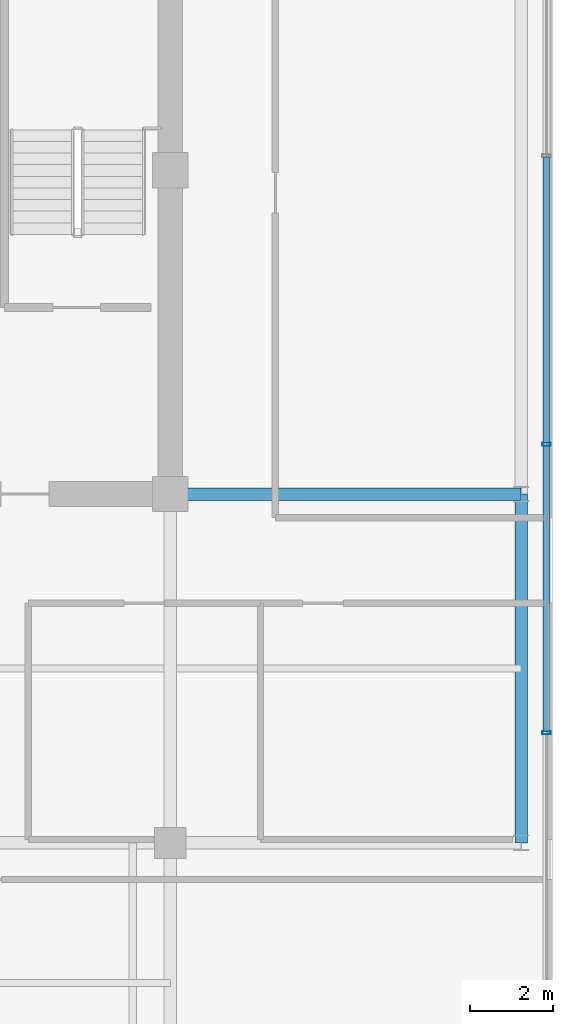
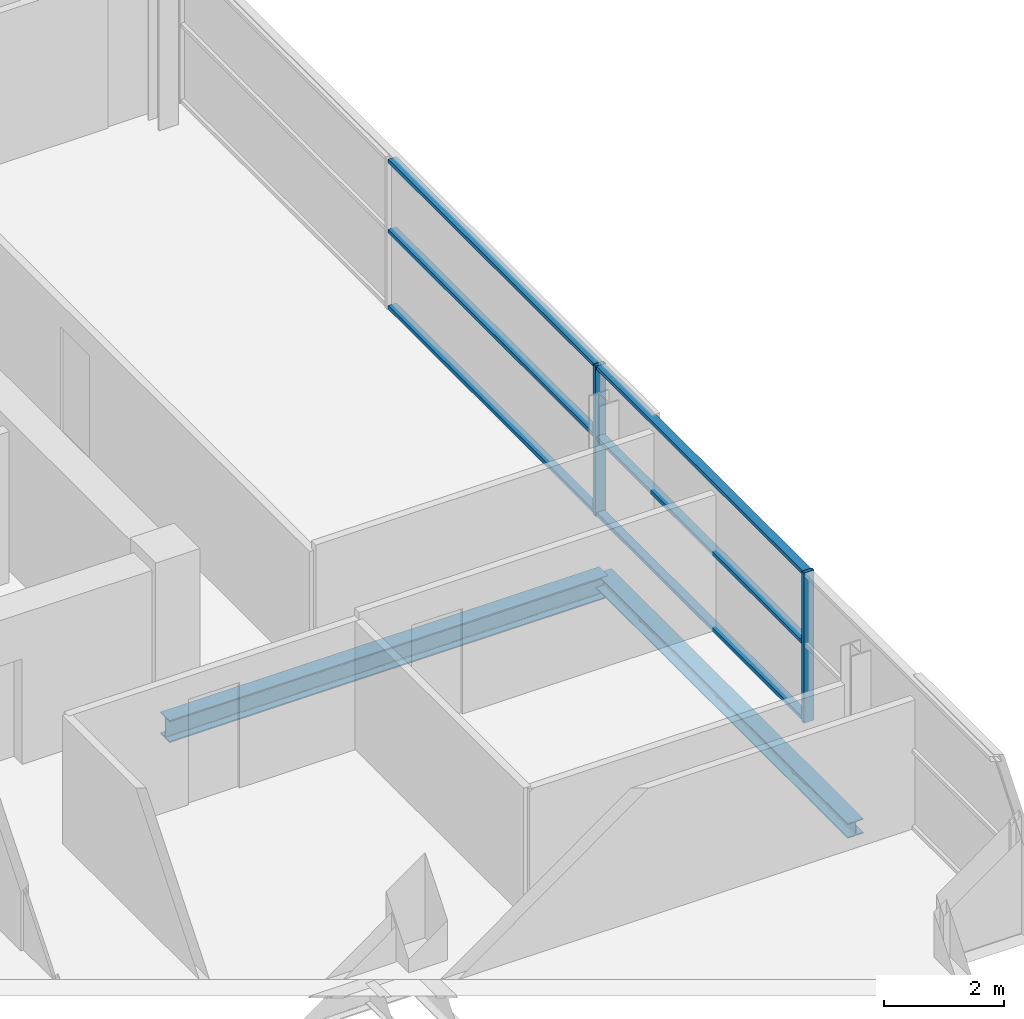
# One storey, part 9 of 21: 8 members, 2 beams, 1 element without a shape of its own.
"""IFC4 building model written with IfcOpenShell, lengths in metres."""

from ifc_helpers import new_model, si_unit, direction, frame, origin, origin_2d, place, context, subcontext, project, spatial, hollow_rectangle, i_section, extrude, source, transform, mapped, material, layer, layer_set, material_profile, profile_set, type_object, element, aggregate, save


model = new_model("IFC4")

# Units and contexts
model_context = context("Model", 3, precision=1e-05, world=origin(), true_north=direction((0.0, 1.0)))
body_context = subcontext(model_context, "Body", "Model", "MODEL_VIEW")
ifc_project = project(units=[si_unit("LENGTHUNIT", "METRE"), si_unit("AREAUNIT", "SQUARE_METRE"), si_unit("VOLUMEUNIT", "CUBIC_METRE"), si_unit("PLANEANGLEUNIT", "RADIAN"), si_unit("MASSUNIT", "GRAM", prefix="KILO")], contexts=[model_context])

# Site, building, storey
site_placement = place(None, origin())
site = spatial("IfcSite", under=ifc_project, at=site_placement, CompositionType="ELEMENT")
building_placement = place(site_placement, origin())
building = spatial("IfcBuilding", under=site, at=building_placement, Name="Zarnakvel Exchange Tower", CompositionType="ELEMENT")
storey_placement = place(building_placement, frame((0.0, 0.0, 241.89990234375)))
storey = spatial("IfcBuildingStorey", under=building, at=storey_placement, Name="L68", CompositionType="ELEMENT", Elevation=241.89990234375)

# Beams
ifc_material_1 = material(Name="Steel S355", Category="steel")
ifc_material_profile_1 = material_profile(ifc_material_1, i_section(OverallWidth=0.300048828125, OverallDepth=0.449951171875, WebThickness=0.013916015625, FlangeThickness=0.02587890625, FilletRadius=0.027099609375, at=origin_2d()))
ifc_profile_set_1 = profile_set([ifc_material_profile_1], Name="Steel S355")
beam_type_1 = type_object("IfcBeamType", Name="G-07", PredefinedType="BEAM", material=ifc_profile_set_1)
beam_1_placement = place(storey_placement, frame((14.39990234375, -1.199951171875, -0.449951171875), z_axis=(1.0, 0.0, 0.0), x_axis=(0.0, 1.0, 0.0)))
element("IfcBeam", 1, at=beam_1_placement, inside=storey, type_object=beam_type_1, Name="L68 Tower E-W Frame Beam", PredefinedType="BEAM", context=body_context, shape_type="SweptSolid", body=[
    extrude(i_section(OverallWidth=0.300048828125, OverallDepth=0.449951171875, WebThickness=0.013916015625, FlangeThickness=0.02587890625, FilletRadius=0.027099609375, at=origin_2d()), origin(), (0.0, 0.0, 1.0), 8.4501953125),
])
ifc_material_profile_2 = material_profile(ifc_material_1, i_section(OverallWidth=0.300048828125, OverallDepth=0.300048828125, WebThickness=0.010986328125, FlangeThickness=0.01904296875, FilletRadius=0.027099609375, at=origin_2d()))
ifc_profile_set_2 = profile_set([ifc_material_profile_2], Name="Steel S355")
beam_type_2 = type_object("IfcBeamType", Name="SP-03", PredefinedType="SPANDREL", material=ifc_profile_set_2)
beam_2_placement = place(storey_placement, frame((22.85009765625, -9.60009765625, -0.375), z_axis=(0.0, 1.0, 0.0), x_axis=(-1.0, 0.0, 0.0)))
element("IfcBeam", 2, at=beam_2_placement, inside=storey, type_object=beam_type_2, Name="L68 Tower N-S Frame Beam", PredefinedType="SPANDREL", context=body_context, shape_type="SweptSolid", body=[
    extrude(i_section(OverallWidth=0.300048828125, OverallDepth=0.300048828125, WebThickness=0.010986328125, FlangeThickness=0.01904296875, FilletRadius=0.027099609375, at=origin_2d()), origin(), (0.0, 0.0, 1.0), 8.400146484375),
])

# Curtain wall, members
ifc_material_2 = material(Name="Architectural Bronze Anodised Aluminium", Category="aluminium")
ifc_layer = layer(ifc_material_2, 0.199951171875)
ifc_layer_set = layer_set([ifc_layer], Name="Architectural Bronze Anodised Aluminium")
curtain_wall_type = type_object("IfcCurtainWallType", Name="CW-04", PredefinedType="NOTDEFINED", material=ifc_layer_set)
curtain_wall_placement = place(storey_placement, origin())
curtain_wall = element("IfcCurtainWall", 3, at=curtain_wall_placement, inside=storey, type_object=curtain_wall_type, Name="L68 Curtain Wall CW-L68-E1 (CW-04)", PredefinedType="NOTDEFINED")
ifc_material_profile_3 = material_profile(ifc_material_2, hollow_rectangle(XDim=0.199951171875, YDim=0.074951171875, WallThickness=0.0048828125, at=origin_2d()))
ifc_profile_set_3 = profile_set([ifc_material_profile_3], Name="Architectural Bronze Anodised Aluminium")
member_type_1 = type_object("IfcMemberType", Name="CWM-04", PredefinedType="MULLION", material=ifc_profile_set_3)
shared_shape_1 = source(origin(), body_context, "Body", "SweptSolid", [
    extrude(hollow_rectangle(XDim=0.199951171875, YDim=0.074951171875, WallThickness=0.0048828125, at=origin_2d()), origin(), (0.0, 0.0, 1.0), 3.05517578125),
])
member_1_placement = place(storey_placement, frame((23.4599609375, -6.949951171875, 0.0), z_axis=(0.0, 0.0, 1.0), x_axis=(-1.0, 0.0, 0.0)))
member_1 = element("IfcMember", 4, at=member_1_placement, type_object=member_type_1, Name="CW-04 mullion 2", PredefinedType="MULLION", context=body_context, shape_type="MappedRepresentation", body=[
    mapped(shared_shape_1, transform((0.0, 0.0, 0.0), x_axis=(1.0, 0.0, 0.0), y_axis=(0.0, 1.0, 0.0), z_axis=(0.0, 0.0, 1.0), scale=1.0)),
])
member_2_placement = place(storey_placement, frame((23.4599609375, 0.0, 0.0), z_axis=(0.0, 0.0, 1.0), x_axis=(-1.0, 0.0, 0.0)))
member_2 = element("IfcMember", 5, at=member_2_placement, type_object=member_type_1, Name="CW-04 mullion 3", PredefinedType="MULLION", context=body_context, shape_type="MappedRepresentation", body=[
    mapped(shared_shape_1, transform((0.0, 0.0, 0.0), x_axis=(1.0, 0.0, 0.0), y_axis=(0.0, 1.0, 0.0), z_axis=(0.0, 0.0, 1.0), scale=1.0)),
])
ifc_material_profile_4 = material_profile(ifc_material_2, hollow_rectangle(XDim=0.159912109375, YDim=0.074951171875, WallThickness=0.00390625, at=origin_2d()))
ifc_profile_set_4 = profile_set([ifc_material_profile_4], Name="Architectural Bronze Anodised Aluminium")
member_type_2 = type_object("IfcMemberType", Name="CWT-04", PredefinedType="USERDEFINED", material=ifc_profile_set_4)
shared_shape_2 = source(origin(), body_context, "Body", "SweptSolid", [
    extrude(hollow_rectangle(XDim=0.159912109375, YDim=0.074951171875, WallThickness=0.00390625, at=origin_2d()), origin(), (0.0, 0.0, 1.0), 6.875),
])
member_3_placement = place(storey_placement, frame((23.4599609375, -6.91259765625, 0.03759765625), z_axis=(0.0, 1.0, 0.0), x_axis=(-1.0, 0.0, 0.0)))
member_3 = element("IfcMember", 6, at=member_3_placement, type_object=member_type_2, Name="CW-04 transom 2.1", ObjectType="TRANSOM", PredefinedType="USERDEFINED", context=body_context, shape_type="MappedRepresentation", body=[
    mapped(shared_shape_2, transform((0.0, 0.0, 0.0), x_axis=(1.0, 0.0, 0.0), y_axis=(0.0, 1.0, 0.0), z_axis=(0.0, 0.0, 1.0), scale=1.0)),
])
member_4_placement = place(storey_placement, frame((23.4599609375, -6.91259765625, 1.588623046875), z_axis=(0.0, 1.0, 0.0), x_axis=(-1.0, 0.0, 0.0)))
member_4 = element("IfcMember", 7, at=member_4_placement, type_object=member_type_2, Name="CW-04 transom 2.2", ObjectType="TRANSOM", PredefinedType="USERDEFINED", context=body_context, shape_type="MappedRepresentation", body=[
    mapped(shared_shape_2, transform((0.0, 0.0, 0.0), x_axis=(1.0, 0.0, 0.0), y_axis=(0.0, 1.0, 0.0), z_axis=(0.0, 0.0, 1.0), scale=1.0)),
])
member_5_placement = place(storey_placement, frame((23.4599609375, -6.91259765625, 3.017578125), z_axis=(0.0, 1.0, 0.0), x_axis=(-1.0, 0.0, 0.0)))
member_5 = element("IfcMember", 8, at=member_5_placement, type_object=member_type_2, Name="CW-04 transom 2.3", ObjectType="TRANSOM", PredefinedType="USERDEFINED", context=body_context, shape_type="MappedRepresentation", body=[
    mapped(shared_shape_2, transform((0.0, 0.0, 0.0), x_axis=(1.0, 0.0, 0.0), y_axis=(0.0, 1.0, 0.0), z_axis=(0.0, 0.0, 1.0), scale=1.0)),
])
member_6_placement = place(storey_placement, frame((23.4599609375, 0.03759765625, 0.03759765625), z_axis=(0.0, 1.0, 0.0), x_axis=(-1.0, 0.0, 0.0)))
member_6 = element("IfcMember", 9, at=member_6_placement, type_object=member_type_2, Name="CW-04 transom 3.1", ObjectType="TRANSOM", PredefinedType="USERDEFINED", context=body_context, shape_type="MappedRepresentation", body=[
    mapped(shared_shape_2, transform((0.0, 0.0, 0.0), x_axis=(1.0, 0.0, 0.0), y_axis=(0.0, 1.0, 0.0), z_axis=(0.0, 0.0, 1.0), scale=1.0)),
])
member_7_placement = place(storey_placement, frame((23.4599609375, 0.03759765625, 1.588623046875), z_axis=(0.0, 1.0, 0.0), x_axis=(-1.0, 0.0, 0.0)))
member_7 = element("IfcMember", 10, at=member_7_placement, type_object=member_type_2, Name="CW-04 transom 3.2", ObjectType="TRANSOM", PredefinedType="USERDEFINED", context=body_context, shape_type="MappedRepresentation", body=[
    mapped(shared_shape_2, transform((0.0, 0.0, 0.0), x_axis=(1.0, 0.0, 0.0), y_axis=(0.0, 1.0, 0.0), z_axis=(0.0, 0.0, 1.0), scale=1.0)),
])
member_8_placement = place(storey_placement, frame((23.4599609375, 0.03759765625, 3.017578125), z_axis=(0.0, 1.0, 0.0), x_axis=(-1.0, 0.0, 0.0)))
member_8 = element("IfcMember", 11, at=member_8_placement, type_object=member_type_2, Name="CW-04 transom 3.3", ObjectType="TRANSOM", PredefinedType="USERDEFINED", context=body_context, shape_type="MappedRepresentation", body=[
    mapped(shared_shape_2, transform((0.0, 0.0, 0.0), x_axis=(1.0, 0.0, 0.0), y_axis=(0.0, 1.0, 0.0), z_axis=(0.0, 0.0, 1.0), scale=1.0)),
])
aggregate(curtain_wall, [member_1, member_2, member_3, member_4, member_5, member_6, member_7, member_8])

save(model, "model.ifc")
